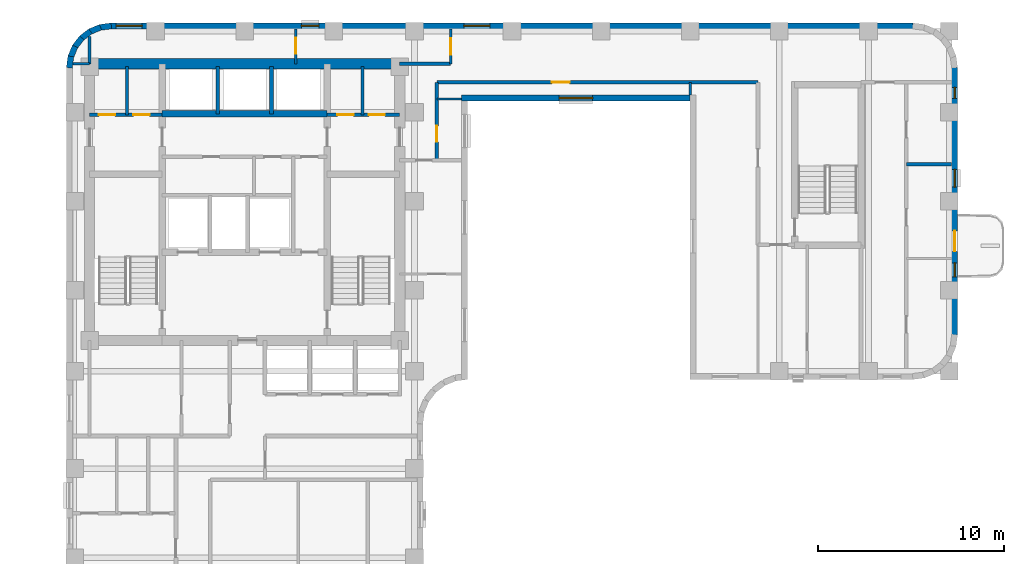
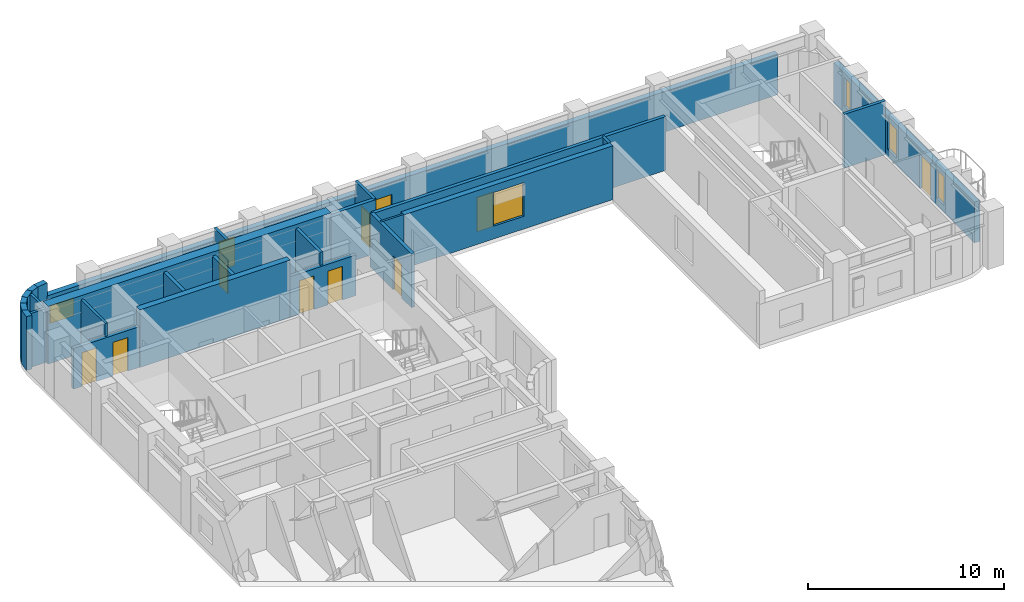
# One storey, part 6 of 10: 27 walls, 9 doors, 7 windows, 16 openings.
"""IFC4 building model written with IfcOpenShell, lengths in metres."""

from ifc_helpers import new_model, si_unit, direction, frame, frame_2d, origin, place, context, subcontext, project, spatial, rectangle, extrude, material, layer, layer_set, type_object, element, fill, save


model = new_model("IFC4")

# Units and contexts
model_context = context("Model", 3, precision=1e-05, world=origin(), true_north=direction((0.0, 1.0)))
body_context = subcontext(model_context, "Body", "Model", "MODEL_VIEW")
ifc_project = project(units=[si_unit("LENGTHUNIT", "METRE"), si_unit("AREAUNIT", "SQUARE_METRE"), si_unit("VOLUMEUNIT", "CUBIC_METRE"), si_unit("PLANEANGLEUNIT", "RADIAN"), si_unit("MASSUNIT", "GRAM", prefix="KILO")], contexts=[model_context])

# Site, building, storey
site_placement = place(None, origin())
site = spatial("IfcSite", under=ifc_project, at=site_placement, CompositionType="ELEMENT")
building_placement = place(site_placement, origin())
building = spatial("IfcBuilding", under=site, at=building_placement, Name="Orvandelia Arch Residences", CompositionType="ELEMENT")
storey_placement = place(building_placement, frame((0.0, 0.0, 179.199951171875)))
storey = spatial("IfcBuildingStorey", under=building, at=storey_placement, Name="L47", CompositionType="ELEMENT", Elevation=179.199951171875)

# Walls
ifc_material_1 = material(Name="Concrete C50/60", Category="concrete")
ifc_layer_1 = layer(ifc_material_1, 0.35009765625, Name="Concrete C50/60", Category="concrete")
ifc_layer_set_1 = layer_set([ifc_layer_1], Name="Concrete C50/60")
wall_type_1 = type_object("IfcWallType", Name="WL-CORE-350", PredefinedType="SHEAR", material=ifc_layer_set_1)
wall_1_placement = place(storey_placement, frame((9.9599609375, 43.10009765625, 0.0), z_axis=(0.0, 0.0, 1.0), x_axis=(1.0, 0.0, 0.0)))
element("IfcWall", 1, at=wall_1_placement, inside=storey, type_object=wall_type_1, Name="Core Shear Wall L47-HZ4", PredefinedType="SHEAR", context=body_context, shape_type="SweptSolid", body=[
    extrude(rectangle(XDim=8.880126953125, YDim=0.35009765625, at=frame_2d((4.43994140625, 0.0))), origin(), (0.0, 0.0, 1.0), 3.60009765625),
])
ifc_material_2 = material(Name="Concrete C60/75", Category="concrete")
ifc_layer_2 = layer(ifc_material_2, 0.550048828125, Name="Concrete C60/75", Category="concrete")
ifc_layer_set_2 = layer_set([ifc_layer_2], Name="Concrete C60/75")
wall_type_2 = type_object("IfcWallType", Name="WL-CORE-550", PredefinedType="SHEAR", material=ifc_layer_set_2)
wall_2_placement = place(storey_placement, frame((6.050048828125, 45.800048828125, 0.0), z_axis=(0.0, 0.0, 1.0), x_axis=(1.0, 0.0, 0.0)))
element("IfcWall", 2, at=wall_2_placement, inside=storey, type_object=wall_type_2, Name="Core Shear Wall L47-N", PredefinedType="SHEAR", context=body_context, shape_type="SweptSolid", body=[
    extrude(rectangle(XDim=16.699951171875, YDim=0.550048828125, at=frame_2d((8.35009765625, 0.0))), origin(), (0.0, 0.0, 1.0), 3.60009765625),
])
ifc_material_3 = material(Name="Fire-Rated Corridor Partition")
ifc_layer_3 = layer(ifc_material_3, 0.199951171875, Name="Fire-Rated Corridor Partition")
ifc_layer_set_3 = layer_set([ifc_layer_3], Name="Fire-Rated Corridor Partition")
wall_type_3 = type_object("IfcWallType", Name="WL-CORR-200", PredefinedType="PARTITIONING", material=ifc_layer_set_3)
wall_3_placement = place(storey_placement, frame((22.75, 45.800048828125, 0.0), z_axis=(0.0, 0.0, 1.0), x_axis=(1.0, 0.0, 0.0)))
element("IfcWall", 3, at=wall_3_placement, inside=storey, type_object=wall_type_3, Name="Interior Partition Wall WL-L47-NCE-S", PredefinedType="PARTITIONING", context=body_context, shape_type="SweptSolid", body=[
    extrude(rectangle(XDim=2.75, YDim=0.199951171875, at=frame_2d((1.375, 0.0))), origin(), (0.0, 0.0, 1.0), 3.360107421875),
])

# Wall, opening, door
wall_4_placement = place(storey_placement, frame((24.75, 44.800048828125, 0.0), z_axis=(0.0, 0.0, 1.0), x_axis=(1.0, 0.0, 0.0)))
wall_4 = element("IfcWall", 4, at=wall_4_placement, inside=storey, type_object=wall_type_3, Name="Interior Partition Wall WL-L47-ENP-S1", PredefinedType="PARTITIONING", context=body_context, shape_type="SweptSolid", body=[
    extrude(rectangle(XDim=17.300048828125, YDim=0.199951171875, at=frame_2d((8.64990234375, 0.0))), origin(), (0.0, 0.0, 1.0), 3.360107421875),
])
opening_1_placement = place(wall_4_placement, frame((6.199951171875, 0.0, 0.0)))
opening_1 = element("IfcOpeningElement", 5, at=opening_1_placement, cuts=wall_4, Name="Opening D2", PredefinedType="OPENING", context=body_context, shape_type="SweptSolid", body=[
    extrude(rectangle(XDim=0.949951171875, YDim=2.14990234375, at=frame_2d((0.47509765625, 1.074951171875))), frame((0.0, 0.10986328125, 0.0), z_axis=(0.0, -1.0, 0.0), x_axis=(1.0, 0.0, 0.0)), (0.0, 0.0, 1.0), 0.219970703125),
])
ifc_material_4 = material(Name="Solid-Core Timber Interior Fire Door", Category="wood")
door_type_1 = type_object("IfcDoorType", Name="DR-APT-950", OperationType="NOTDEFINED", PredefinedType="DOOR", material=ifc_material_4)
door_1_placement = place(opening_1_placement, origin())
door_1 = element("IfcDoor", 6, at=door_1_placement, inside=storey, type_object=door_type_1, Name="DR-L47-VPBRG", OperationType="SINGLE_SWING_LEFT", OverallHeight=2.14990234375, OverallWidth=0.949951171875, PredefinedType="DOOR", context=body_context, shape_type="SweptSolid", body=[
    extrude(rectangle(XDim=0.949951171875, YDim=2.14990234375, at=frame_2d((0.47509765625, 1.074951171875))), frame((0.0, 0.02490234375, 0.0), z_axis=(0.0, -1.0, 0.0), x_axis=(1.0, 0.0, 0.0)), (0.0, 0.0, 1.0), 0.050048828125),
])
fill(opening_1, door_1)

wall_5_placement = place(storey_placement, frame((24.75, 40.60009765625, 0.0), z_axis=(0.0, 0.0, 1.0), x_axis=(0.0, 1.0, 0.0)))
wall_5 = element("IfcWall", 7, at=wall_5_placement, inside=storey, type_object=wall_type_3, Name="Interior Partition Wall WL-L47-ENP-LW", PredefinedType="PARTITIONING", context=body_context, shape_type="SweptSolid", body=[
    extrude(rectangle(XDim=4.199951171875, YDim=0.199951171875, at=frame_2d((2.10009765625, 0.0))), origin(), (0.0, 0.0, 1.0), 3.360107421875),
])
opening_2_placement = place(wall_5_placement, frame((1.0, 0.0, 0.0)))
opening_2 = element("IfcOpeningElement", 8, at=opening_2_placement, cuts=wall_5, Name="Opening D4", PredefinedType="OPENING", context=body_context, shape_type="SweptSolid", body=[
    extrude(rectangle(XDim=0.860107421875, YDim=2.10009765625, at=frame_2d((0.43017578125, 1.050048828125))), frame((0.0, 0.10986328125, 0.0), z_axis=(0.0, -1.0, 0.0), x_axis=(1.0, 0.0, 0.0)), (0.0, 0.0, 1.0), 0.219970703125),
])
ifc_material_5 = material(Name="Moisture-Sealed Timber Bathroom Door", Category="wood")
door_type_2 = type_object("IfcDoorType", Name="DR-WET-900", OperationType="NOTDEFINED", PredefinedType="DOOR", material=ifc_material_5)
door_2_placement = place(opening_2_placement, origin())
door_2 = element("IfcDoor", 9, at=door_2_placement, inside=storey, type_object=door_type_2, Name="DR-L47-VPWNK", OperationType="SINGLE_SWING_RIGHT", OverallHeight=2.10009765625, OverallWidth=0.860107421875, PredefinedType="DOOR", context=body_context, shape_type="SweptSolid", body=[
    extrude(rectangle(XDim=0.860107421875, YDim=2.10009765625, at=frame_2d((0.43017578125, 1.050048828125))), frame((0.0, 0.02490234375, 0.0), z_axis=(0.0, -1.0, 0.0), x_axis=(1.0, 0.0, 0.0)), (0.0, 0.0, 1.0), 0.050048828125),
])
fill(opening_2, door_2)

# Walls
ifc_material_6 = material(Name="Precast concrete C40/50", Category="concrete")
ifc_layer_4 = layer(ifc_material_6, 0.320068359375, Name="Precast concrete C40/50", Category="concrete")
ifc_layer_set_4 = layer_set([ifc_layer_4], Name="Precast concrete C40/50")
wall_type_4 = type_object("IfcWallType", Name="WL-EXT-STONE-320", PredefinedType="STANDARD", material=ifc_layer_set_4)
for number, where, z_axis, x_axis, name in (
    (10, (4.95849609375, 45.5791015625, 0.0), (0.0, 0.0, 1.0), (0.130555323746, 0.9914410257, 0.0), "Coral-Limestone Precast Facade Wall L47-001"),
    (11, (5.029541015625, 46.159912109375, 0.0), (0.0, 0.0, 1.0), (0.382650053678, 0.92389335771, 0.0), "Coral-Limestone Precast Facade Wall L47-002"),
):
    element("IfcWall", number, at=place(storey_placement, frame(where, z_axis=z_axis, x_axis=x_axis)), inside=storey, type_object=wall_type_4, Name=name, PredefinedType="STANDARD", context=body_context, shape_type="SweptSolid", body=[
        extrude(rectangle(XDim=0.62646484375, YDim=0.320068359375, at=frame_2d((0.313232421875, 0.0))), origin(), (0.0, 0.0, 1.0), 3.360107421875),
    ])
wall_6_placement = place(storey_placement, frame((5.248291015625, 46.70263671875, 0.0), z_axis=(0.0, 0.0, 1.0), x_axis=(0.608938521285, 0.7932174212, 0.0)))
element("IfcWall", 12, at=wall_6_placement, inside=storey, type_object=wall_type_4, Name="Coral-Limestone Precast Facade Wall L47-003", PredefinedType="STANDARD", context=body_context, shape_type="SweptSolid", body=[
    extrude(rectangle(XDim=0.626708984375, YDim=0.320068359375, at=frame_2d((0.3134765625, 0.0))), origin(), (0.0, 0.0, 1.0), 3.360107421875),
])
wall_7_placement = place(storey_placement, frame((5.600341796875, 47.170166015625, 0.0), z_axis=(0.0, 0.0, 1.0), x_axis=(0.793405610854, 0.608693302629, 0.0)))
element("IfcWall", 13, at=wall_7_placement, inside=storey, type_object=wall_type_4, Name="Coral-Limestone Precast Facade Wall L47-004", PredefinedType="STANDARD", context=body_context, shape_type="SweptSolid", body=[
    extrude(rectangle(XDim=0.62646484375, YDim=0.320068359375, at=frame_2d((0.313232421875, 0.0))), origin(), (0.0, 0.0, 1.0), 3.360107421875),
])
wall_8_placement = place(storey_placement, frame((6.061279296875, 47.53076171875, 0.0), z_axis=(0.0, 0.0, 1.0), x_axis=(0.923836271867, 0.382787856107, 0.0)))
element("IfcWall", 14, at=wall_8_placement, inside=storey, type_object=wall_type_4, Name="Coral-Limestone Precast Facade Wall L47-005", PredefinedType="STANDARD", context=body_context, shape_type="SweptSolid", body=[
    extrude(rectangle(XDim=0.626220703125, YDim=0.320068359375, at=frame_2d((0.31298828125, 0.0))), origin(), (0.0, 0.0, 1.0), 3.360107421875),
])
wall_9_placement = place(storey_placement, frame((6.599609375, 47.759521484375, 0.0), z_axis=(0.0, 0.0, 1.0), x_axis=(0.991447664465, 0.130504898859, 0.0)))
element("IfcWall", 15, at=wall_9_placement, inside=storey, type_object=wall_type_4, Name="Coral-Limestone Precast Facade Wall L47-006", PredefinedType="STANDARD", context=body_context, shape_type="SweptSolid", body=[
    extrude(rectangle(XDim=0.626708984375, YDim=0.320068359375, at=frame_2d((0.3134765625, 0.0))), origin(), (0.0, 0.0, 1.0), 3.360107421875),
])

# Wall, openings, windows
wall_10_placement = place(storey_placement, frame((7.199951171875, 47.840087890625, 0.0), z_axis=(0.0, 0.0, 1.0), x_axis=(1.0, 0.0, 0.0)))
wall_10 = element("IfcWall", 16, at=wall_10_placement, inside=storey, type_object=wall_type_4, Name="Coral-Limestone Precast Facade Wall L47-007", PredefinedType="STANDARD", context=body_context, shape_type="SweptSolid", body=[
    extrude(rectangle(XDim=43.199951171875, YDim=0.320068359375, at=frame_2d((21.60009765625, 0.0))), origin(), (0.0, 0.0, 1.0), 2.5400390625),
])
opening_3_placement = place(wall_10_placement, frame((19.00244140625, 0.0, 0.64990234375)))
opening_3 = element("IfcOpeningElement", 17, at=opening_3_placement, cuts=wall_10, Name="Opening W10", PredefinedType="OPENING", context=body_context, shape_type="SweptSolid", body=[
    extrude(rectangle(XDim=1.39990234375, YDim=1.10009765625, at=frame_2d((0.699951171875, 0.550048828125))), frame((0.0, 0.169921875, 0.0), z_axis=(0.0, -1.0, 0.0), x_axis=(1.0, 0.0, 0.0)), (0.0, 0.0, 1.0), 0.340087890625),
])
opening_4_placement = place(wall_10_placement, frame((0.282470703125, 0.0, 0.64990234375)))
opening_4 = element("IfcOpeningElement", 18, at=opening_4_placement, cuts=wall_10, Name="Opening W10", PredefinedType="OPENING", context=body_context, shape_type="SweptSolid", body=[
    extrude(rectangle(XDim=1.39990234375, YDim=1.10009765625, at=frame_2d((0.699951171875, 0.550048828125))), frame((0.0, 0.169921875, 0.0), z_axis=(0.0, -1.0, 0.0), x_axis=(1.0, 0.0, 0.0)), (0.0, 0.0, 1.0), 0.340087890625),
])
opening_5_placement = place(wall_10_placement, frame((10.25244140625, 0.0, 0.449951171875)))
opening_5 = element("IfcOpeningElement", 19, at=opening_5_placement, cuts=wall_10, Name="Opening W4", PredefinedType="OPENING", context=body_context, shape_type="SweptSolid", body=[
    extrude(rectangle(XDim=0.949951171875, YDim=1.800048828125, at=frame_2d((0.47509765625, 0.89990234375))), frame((0.0, 0.169921875, 0.0), z_axis=(0.0, -1.0, 0.0), x_axis=(1.0, 0.0, 0.0)), (0.0, 0.0, 1.0), 0.340087890625),
])
ifc_material_7 = material(Name="Tempered Low-E Insulated Glazing", Category="glass")
window_type_1 = type_object("IfcWindowType", Name="WIN-CLR-1400x1100", PartitioningType="SINGLE_PANEL", PredefinedType="WINDOW", material=ifc_material_7)
window_1_placement = place(opening_3_placement, origin())
window_1 = element("IfcWindow", 20, at=window_1_placement, inside=storey, type_object=window_type_1, Name="Recessed Punched Window L47-001", OverallHeight=1.10009765625, OverallWidth=1.39990234375, PartitioningType="SINGLE_PANEL", PredefinedType="WINDOW", context=body_context, shape_type="SweptSolid", body=[
    extrude(rectangle(XDim=1.39990234375, YDim=1.10009765625, at=frame_2d((0.699951171875, 0.550048828125))), frame((0.0, 0.030029296875, 0.0), z_axis=(0.0, -1.0, 0.0), x_axis=(1.0, 0.0, 0.0)), (0.0, 0.0, 1.0), 0.06005859375),
])
fill(opening_3, window_1)
window_2_placement = place(opening_4_placement, origin())
window_2 = element("IfcWindow", 21, at=window_2_placement, inside=storey, type_object=window_type_1, Name="Recessed Punched Window L47-002", OverallHeight=1.10009765625, OverallWidth=1.39990234375, PartitioningType="SINGLE_PANEL", PredefinedType="WINDOW", context=body_context, shape_type="SweptSolid", body=[
    extrude(rectangle(XDim=1.39990234375, YDim=1.10009765625, at=frame_2d((0.699951171875, 0.550048828125))), frame((0.0, 0.030029296875, 0.0), z_axis=(0.0, -1.0, 0.0), x_axis=(1.0, 0.0, 0.0)), (0.0, 0.0, 1.0), 0.06005859375),
])
fill(opening_4, window_2)
window_type_2 = type_object("IfcWindowType", Name="WIN-RES-0950x1800", PartitioningType="SINGLE_PANEL", PredefinedType="WINDOW", material=ifc_material_7)
window_3_placement = place(opening_5_placement, origin())
window_3 = element("IfcWindow", 22, at=window_3_placement, inside=storey, type_object=window_type_2, Name="Recessed Punched Window L47-003", OverallHeight=1.800048828125, OverallWidth=0.949951171875, PartitioningType="SINGLE_PANEL", PredefinedType="WINDOW", context=body_context, shape_type="SweptSolid", body=[
    extrude(rectangle(XDim=0.949951171875, YDim=1.800048828125, at=frame_2d((0.47509765625, 0.89990234375))), frame((0.0, 0.030029296875, 0.0), z_axis=(0.0, -1.0, 0.0), x_axis=(1.0, 0.0, 0.0)), (0.0, 0.0, 1.0), 0.06005859375),
])
fill(opening_5, window_3)

# Wall, openings, door, windows
wall_11_placement = place(storey_placement, frame((52.639892578125, 45.60009765625, 0.0), z_axis=(0.0, 0.0, 1.0), x_axis=(0.0, -1.0, 0.0)))
wall_11 = element("IfcWall", 23, at=wall_11_placement, inside=storey, type_object=wall_type_4, Name="Coral-Limestone Precast Facade Wall L47-014", PredefinedType="STANDARD", context=body_context, shape_type="SweptSolid", body=[
    extrude(rectangle(XDim=14.400146484375, YDim=0.320068359375, at=frame_2d((7.2001953125, 0.0))), origin(), (0.0, 0.0, 1.0), 2.5400390625),
])
opening_6_placement = place(wall_11_placement, frame((8.800048828125, 0.0, 0.0)))
opening_6 = element("IfcOpeningElement", 24, at=opening_6_placement, cuts=wall_11, Name="Opening BD1", PredefinedType="OPENING", context=body_context, shape_type="SweptSolid", body=[
    extrude(rectangle(XDim=1.10009765625, YDim=2.14990234375, at=frame_2d((0.550048828125, 1.074951171875))), frame((0.0, 0.169921875, 0.0), z_axis=(0.0, -1.0, 0.0), x_axis=(1.0, 0.0, 0.0)), (0.0, 0.0, 1.0), 0.340087890625),
])
opening_7_placement = place(wall_11_placement, frame((10.51953125, 0.0, 0.449951171875)))
opening_7 = element("IfcOpeningElement", 25, at=opening_7_placement, cuts=wall_11, Name="Opening W11", PredefinedType="OPENING", context=body_context, shape_type="SweptSolid", body=[
    extrude(rectangle(XDim=0.75, YDim=1.800048828125, at=frame_2d((0.375, 0.89990234375))), frame((0.0, 0.169921875, 0.0), z_axis=(0.0, -1.0, 0.0), x_axis=(1.0, 0.0, 0.0)), (0.0, 0.0, 1.0), 0.340087890625),
])
opening_8_placement = place(wall_11_placement, frame((1.0625, 0.0, 0.449951171875)))
opening_8 = element("IfcOpeningElement", 26, at=opening_8_placement, cuts=wall_11, Name="Opening W12", PredefinedType="OPENING", context=body_context, shape_type="SweptSolid", body=[
    extrude(rectangle(XDim=0.60009765625, YDim=1.800048828125, at=frame_2d((0.300048828125, 0.89990234375))), frame((0.0, 0.169921875, 0.0), z_axis=(0.0, -1.0, 0.0), x_axis=(1.0, 0.0, 0.0)), (0.0, 0.0, 1.0), 0.340087890625),
])
opening_9_placement = place(wall_11_placement, frame((5.486083984375, 0.0, 0.449951171875)))
opening_9 = element("IfcOpeningElement", 27, at=opening_9_placement, cuts=wall_11, Name="Opening W4", PredefinedType="OPENING", context=body_context, shape_type="SweptSolid", body=[
    extrude(rectangle(XDim=0.949951171875, YDim=1.800048828125, at=frame_2d((0.47509765625, 0.89990234375))), frame((0.0, 0.169921875, 0.0), z_axis=(0.0, -1.0, 0.0), x_axis=(1.0, 0.0, 0.0)), (0.0, 0.0, 1.0), 0.340087890625),
])
ifc_material_8 = material(Name="Thermally Broken Aluminium Glazed Door", Category="aluminium")
door_type_3 = type_object("IfcDoorType", Name="DR-BAL-GLAZ-1100", OperationType="NOTDEFINED", PredefinedType="DOOR", material=ifc_material_8)
door_3_placement = place(opening_6_placement, origin())
door_3 = element("IfcDoor", 28, at=door_3_placement, inside=storey, type_object=door_type_3, Name="Tree Balcony Glazed Door BAL-L47-E1", OperationType="SINGLE_SWING_LEFT", OverallHeight=2.14990234375, OverallWidth=1.10009765625, PredefinedType="DOOR", context=body_context, shape_type="SweptSolid", body=[
    extrude(rectangle(XDim=1.10009765625, YDim=2.14990234375, at=frame_2d((0.550048828125, 1.074951171875))), frame((0.0, 0.02490234375, 0.0), z_axis=(0.0, -1.0, 0.0), x_axis=(1.0, 0.0, 0.0)), (0.0, 0.0, 1.0), 0.050048828125),
])
fill(opening_6, door_3)
window_type_3 = type_object("IfcWindowType", Name="WIN-BED-0750x1800", PartitioningType="SINGLE_PANEL", PredefinedType="WINDOW", material=ifc_material_7)
window_4_placement = place(opening_7_placement, origin())
window_4 = element("IfcWindow", 29, at=window_4_placement, inside=storey, type_object=window_type_3, Name="Recessed Punched Window L47-004", OverallHeight=1.800048828125, OverallWidth=0.75, PartitioningType="SINGLE_PANEL", PredefinedType="WINDOW", context=body_context, shape_type="SweptSolid", body=[
    extrude(rectangle(XDim=0.75, YDim=1.800048828125, at=frame_2d((0.375, 0.89990234375))), frame((0.0, 0.030029296875, 0.0), z_axis=(0.0, -1.0, 0.0), x_axis=(1.0, 0.0, 0.0)), (0.0, 0.0, 1.0), 0.06005859375),
])
fill(opening_7, window_4)
window_type_4 = type_object("IfcWindowType", Name="WIN-LAN-0600x1800", PartitioningType="SINGLE_PANEL", PredefinedType="WINDOW", material=ifc_material_7)
window_5_placement = place(opening_8_placement, origin())
window_5 = element("IfcWindow", 30, at=window_5_placement, inside=storey, type_object=window_type_4, Name="Recessed Punched Window L47-005", OverallHeight=1.800048828125, OverallWidth=0.60009765625, PartitioningType="SINGLE_PANEL", PredefinedType="WINDOW", context=body_context, shape_type="SweptSolid", body=[
    extrude(rectangle(XDim=0.60009765625, YDim=1.800048828125, at=frame_2d((0.300048828125, 0.89990234375))), frame((0.0, 0.030029296875, 0.0), z_axis=(0.0, -1.0, 0.0), x_axis=(1.0, 0.0, 0.0)), (0.0, 0.0, 1.0), 0.06005859375),
])
fill(opening_8, window_5)
window_6_placement = place(opening_9_placement, origin())
window_6 = element("IfcWindow", 31, at=window_6_placement, inside=storey, type_object=window_type_2, Name="Recessed Punched Window L47-006", OverallHeight=1.800048828125, OverallWidth=0.949951171875, PartitioningType="SINGLE_PANEL", PredefinedType="WINDOW", context=body_context, shape_type="SweptSolid", body=[
    extrude(rectangle(XDim=0.949951171875, YDim=1.800048828125, at=frame_2d((0.47509765625, 0.89990234375))), frame((0.0, 0.030029296875, 0.0), z_axis=(0.0, -1.0, 0.0), x_axis=(1.0, 0.0, 0.0)), (0.0, 0.0, 1.0), 0.06005859375),
])
fill(opening_9, window_6)

# Wall, opening, window
wall_12_placement = place(storey_placement, frame((38.39990234375, 43.9599609375, 0.0), z_axis=(0.0, 0.0, 1.0), x_axis=(-1.0, 0.0, 0.0)))
wall_12 = element("IfcWall", 32, at=wall_12_placement, inside=storey, type_object=wall_type_4, Name="Coral-Limestone Precast Facade Wall L47-023", PredefinedType="STANDARD", context=body_context, shape_type="SweptSolid", body=[
    extrude(rectangle(XDim=12.31982421875, YDim=0.320068359375, at=frame_2d((6.159912109375, 0.0))), origin(), (0.0, 0.0, 1.0), 3.360107421875),
])
opening_10_placement = place(wall_12_placement, frame((5.260009765625, 0.0, 0.800048828125)))
opening_10 = element("IfcOpeningElement", 33, at=opening_10_placement, cuts=wall_12, Name="Opening W1", PredefinedType="OPENING", context=body_context, shape_type="SweptSolid", body=[
    extrude(rectangle(XDim=1.800048828125, YDim=2.10009765625, at=frame_2d((0.89990234375, 1.050048828125))), frame((0.0, 0.169921875, 0.0), z_axis=(0.0, -1.0, 0.0), x_axis=(1.0, 0.0, 0.0)), (0.0, 0.0, 1.0), 0.340087890625),
])
window_type_5 = type_object("IfcWindowType", Name="WIN-RES-1800x2100", PartitioningType="SINGLE_PANEL", PredefinedType="WINDOW", material=ifc_material_7)
window_7_placement = place(opening_10_placement, origin())
window_7 = element("IfcWindow", 34, at=window_7_placement, inside=storey, type_object=window_type_5, Name="Recessed Punched Window L47-012", OverallHeight=2.10009765625, OverallWidth=1.800048828125, PartitioningType="SINGLE_PANEL", PredefinedType="WINDOW", context=body_context, shape_type="SweptSolid", body=[
    extrude(rectangle(XDim=1.800048828125, YDim=2.10009765625, at=frame_2d((0.89990234375, 1.050048828125))), frame((0.0, 0.030029296875, 0.0), z_axis=(0.0, -1.0, 0.0), x_axis=(1.0, 0.0, 0.0)), (0.0, 0.0, 1.0), 0.06005859375),
])
fill(opening_10, window_7)

# Walls
ifc_material_9 = material(Name="Lightweight Gypsum Stud Partition")
ifc_layer_5 = layer(ifc_material_9, 0.1201171875, Name="Lightweight Gypsum Stud Partition")
ifc_layer_set_5 = layer_set([ifc_layer_5], Name="Lightweight Gypsum Stud Partition")
wall_type_5 = type_object("IfcWallType", Name="WL-PART-120", PredefinedType="PARTITIONING", material=ifc_layer_set_5)
wall_13_placement = place(storey_placement, frame((24.75, 43.89990234375, 0.0), z_axis=(0.0, 0.0, 1.0), x_axis=(1.0, 0.0, 0.0)))
element("IfcWall", 35, at=wall_13_placement, inside=storey, type_object=wall_type_5, Name="Interior Partition Wall WL-L47-VPWNK-N", PredefinedType="PARTITIONING", context=body_context, shape_type="SweptSolid", body=[
    extrude(rectangle(XDim=1.330078125, YDim=0.1201171875, at=frame_2d((0.6650390625, 0.0))), origin(), (0.0, 0.0, 1.0), 3.360107421875),
])
ifc_material_10 = material(Name="Acoustic Gypsum Stud Partition")
ifc_layer_6 = layer(ifc_material_10, 0.14990234375, Name="Acoustic Gypsum Stud Partition")
ifc_layer_set_6 = layer_set([ifc_layer_6], Name="Acoustic Gypsum Stud Partition")
wall_type_6 = type_object("IfcWallType", Name="WL-PART-150", PredefinedType="PARTITIONING", material=ifc_layer_set_6)
wall_14_placement = place(storey_placement, frame((8.06005859375, 43.050048828125, 0.0), z_axis=(0.0, 0.0, 1.0), x_axis=(0.0, 1.0, 0.0)))
element("IfcWall", 36, at=wall_14_placement, inside=storey, type_object=wall_type_6, Name="Interior Partition Wall WL-L47-CRELC-M", PredefinedType="PARTITIONING", context=body_context, shape_type="SweptSolid", body=[
    extrude(rectangle(XDim=2.599853515625, YDim=0.14990234375, at=frame_2d((1.2998046875, 0.0))), origin(), (0.0, 0.0, 1.0), 3.360107421875),
])
wall_15_placement = place(storey_placement, frame((5.159912109375, 45.800048828125, 0.0), z_axis=(0.0, 0.0, 1.0), x_axis=(1.0, 0.0, 0.0)))
element("IfcWall", 37, at=wall_15_placement, inside=storey, type_object=wall_type_6, Name="Interior Partition Wall WL-L47-WF-N", PredefinedType="PARTITIONING", context=body_context, shape_type="SweptSolid", body=[
    extrude(rectangle(XDim=0.89013671875, YDim=0.14990234375, at=frame_2d((0.445068359375, 0.0))), origin(), (0.0, 0.0, 1.0), 3.360107421875),
])

# Wall, opening, door
wall_16_placement = place(storey_placement, frame((25.5, 45.800048828125, 0.0), z_axis=(0.0, 0.0, 1.0), x_axis=(0.0, 1.0, 0.0)))
wall_16 = element("IfcWall", 38, at=wall_16_placement, inside=storey, type_object=wall_type_6, Name="Interior Partition Wall WL-L47-NCE-W", PredefinedType="PARTITIONING", context=body_context, shape_type="SweptSolid", body=[
    extrude(rectangle(XDim=1.8798828125, YDim=0.14990234375, at=frame_2d((0.93994140625, 0.0))), origin(), (0.0, 0.0, 1.0), 3.360107421875),
])
opening_11_placement = place(wall_16_placement, frame((0.5, 0.0, 0.0)))
opening_11 = element("IfcOpeningElement", 39, at=opening_11_placement, cuts=wall_16, Name="Opening D5", PredefinedType="OPENING", context=body_context, shape_type="SweptSolid", body=[
    extrude(rectangle(XDim=0.8798828125, YDim=2.10009765625, at=frame_2d((0.43994140625, 1.050048828125))), frame((0.0, 0.0849609375, 0.0), z_axis=(0.0, -1.0, 0.0), x_axis=(1.0, 0.0, 0.0)), (0.0, 0.0, 1.0), 0.169921875),
])
ifc_material_11 = material(Name="Painted Galvanised Steel Service Door", Category="steel")
door_type_4 = type_object("IfcDoorType", Name="DR-SRV-880", OperationType="NOTDEFINED", PredefinedType="DOOR", material=ifc_material_11)
door_4_placement = place(opening_11_placement, origin())
door_4 = element("IfcDoor", 40, at=door_4_placement, inside=storey, type_object=door_type_4, Name="DR-L47-NCS2", OperationType="SINGLE_SWING_LEFT", OverallHeight=2.10009765625, OverallWidth=0.8798828125, PredefinedType="DOOR", context=body_context, shape_type="SweptSolid", body=[
    extrude(rectangle(XDim=0.8798828125, YDim=2.10009765625, at=frame_2d((0.43994140625, 1.050048828125))), frame((0.0, 0.02490234375, 0.0), z_axis=(0.0, -1.0, 0.0), x_axis=(1.0, 0.0, 0.0)), (0.0, 0.0, 1.0), 0.050048828125),
])
fill(opening_11, door_4)

# Wall
wall_17_placement = place(storey_placement, frame((6.050048828125, 45.800048828125, 0.0), z_axis=(0.0, 0.0, 1.0), x_axis=(0.0, 1.0, 0.0)))
element("IfcWall", 41, at=wall_17_placement, inside=storey, type_object=wall_type_6, Name="Interior Partition Wall WL-L47-NC-W6", PredefinedType="PARTITIONING", context=body_context, shape_type="SweptSolid", body=[
    extrude(rectangle(XDim=1.4599609375, YDim=0.14990234375, at=frame_2d((0.72998046875, 0.0))), origin(), (0.0, 0.0, 1.0), 3.360107421875),
])

# Wall, opening, door
wall_18_placement = place(storey_placement, frame((17.14990234375, 45.800048828125, 0.0), z_axis=(0.0, 0.0, 1.0), x_axis=(0.0, 1.0, 0.0)))
wall_18 = element("IfcWall", 42, at=wall_18_placement, inside=storey, type_object=wall_type_6, Name="Interior Partition Wall WL-L47-NC-M", PredefinedType="PARTITIONING", context=body_context, shape_type="SweptSolid", body=[
    extrude(rectangle(XDim=1.8798828125, YDim=0.14990234375, at=frame_2d((0.93994140625, 0.0))), origin(), (0.0, 0.0, 1.0), 3.360107421875),
])
opening_12_placement = place(wall_18_placement, frame((0.550048828125, 0.0, 0.0)))
opening_12 = element("IfcOpeningElement", 43, at=opening_12_placement, cuts=wall_18, Name="Opening D4", PredefinedType="OPENING", context=body_context, shape_type="SweptSolid", body=[
    extrude(rectangle(XDim=0.860107421875, YDim=2.10009765625, at=frame_2d((0.43017578125, 1.050048828125))), frame((0.0, 0.0849609375, 0.0), z_axis=(0.0, -1.0, 0.0), x_axis=(1.0, 0.0, 0.0)), (0.0, 0.0, 1.0), 0.169921875),
])
door_5_placement = place(opening_12_placement, origin())
door_5 = element("IfcDoor", 44, at=door_5_placement, inside=storey, type_object=door_type_2, Name="DR-L47-NCS1", OperationType="SINGLE_SWING_LEFT", OverallHeight=2.10009765625, OverallWidth=0.860107421875, PredefinedType="DOOR", context=body_context, shape_type="SweptSolid", body=[
    extrude(rectangle(XDim=0.860107421875, YDim=2.10009765625, at=frame_2d((0.43017578125, 1.050048828125))), frame((0.0, 0.02490234375, 0.0), z_axis=(0.0, -1.0, 0.0), x_axis=(1.0, 0.0, 0.0)), (0.0, 0.0, 1.0), 0.050048828125),
])
fill(opening_12, door_5)

# Wall
wall_19_placement = place(storey_placement, frame((38.39990234375, 44.1201171875, 0.0), z_axis=(0.0, 0.0, 1.0), x_axis=(0.0, 1.0, 0.0)))
element("IfcWall", 45, at=wall_19_placement, inside=storey, type_object=wall_type_6, Name="Interior Partition Wall WL-L47-VPBRG-E", PredefinedType="PARTITIONING", context=body_context, shape_type="SweptSolid", body=[
    extrude(rectangle(XDim=0.679931640625, YDim=0.14990234375, at=frame_2d((0.33984375, 0.0))), origin(), (0.0, 0.0, 1.0), 3.360107421875),
])

# Wall, openings, doors
ifc_material_12 = material(Name="Fire-Rated Shaft Enclosure Wall")
ifc_layer_7 = layer(ifc_material_12, 0.199951171875, Name="Fire-Rated Shaft Enclosure Wall")
ifc_layer_set_7 = layer_set([ifc_layer_7], Name="Fire-Rated Shaft Enclosure Wall")
wall_type_7 = type_object("IfcWallType", Name="WL-SHAFT-200", PredefinedType="POLYGONAL", material=ifc_layer_set_7)
wall_20_placement = place(storey_placement, frame((18.840087890625, 43.050048828125, 0.0), z_axis=(0.0, 0.0, 1.0), x_axis=(1.0, 0.0, 0.0)))
wall_20 = element("IfcWall", 46, at=wall_20_placement, inside=storey, type_object=wall_type_7, Name="Interior Partition Wall WL-L47-HLE-N", PredefinedType="POLYGONAL", context=body_context, shape_type="SweptSolid", body=[
    extrude(rectangle(XDim=3.909912109375, YDim=0.199951171875, at=frame_2d((1.955078125, 0.0))), origin(), (0.0, 0.0, 1.0), 2.5400390625),
])
opening_13_placement = place(wall_20_placement, frame((0.550048828125, 0.0, 0.0)))
opening_13 = element("IfcOpeningElement", 47, at=opening_13_placement, cuts=wall_20, Name="Opening D5", PredefinedType="OPENING", context=body_context, shape_type="SweptSolid", body=[
    extrude(rectangle(XDim=0.8798828125, YDim=2.10009765625, at=frame_2d((0.43994140625, 1.050048828125))), frame((0.0, 0.10986328125, 0.0), z_axis=(0.0, -1.0, 0.0), x_axis=(1.0, 0.0, 0.0)), (0.0, 0.0, 1.0), 0.219970703125),
])
opening_14_placement = place(wall_20_placement, frame((2.25, 0.0, 0.0)))
opening_14 = element("IfcOpeningElement", 48, at=opening_14_placement, cuts=wall_20, Name="Opening D4", PredefinedType="OPENING", context=body_context, shape_type="SweptSolid", body=[
    extrude(rectangle(XDim=0.860107421875, YDim=2.10009765625, at=frame_2d((0.43017578125, 1.050048828125))), frame((0.0, 0.10986328125, 0.0), z_axis=(0.0, -1.0, 0.0), x_axis=(1.0, 0.0, 0.0)), (0.0, 0.0, 1.0), 0.219970703125),
])
door_6_placement = place(opening_13_placement, origin())
door_6 = element("IfcDoor", 49, at=door_6_placement, inside=storey, type_object=door_type_4, Name="DR-L47-CSB1", OperationType="SINGLE_SWING_LEFT", OverallHeight=2.10009765625, OverallWidth=0.8798828125, PredefinedType="DOOR", context=body_context, shape_type="SweptSolid", body=[
    extrude(rectangle(XDim=0.8798828125, YDim=2.10009765625, at=frame_2d((0.43994140625, 1.050048828125))), frame((0.0, 0.02490234375, 0.0), z_axis=(0.0, -1.0, 0.0), x_axis=(1.0, 0.0, 0.0)), (0.0, 0.0, 1.0), 0.050048828125),
])
fill(opening_13, door_6)
door_7_placement = place(opening_14_placement, origin())
door_7 = element("IfcDoor", 50, at=door_7_placement, inside=storey, type_object=door_type_2, Name="DR-L47-CSB2", OperationType="SINGLE_SWING_LEFT", OverallHeight=2.10009765625, OverallWidth=0.860107421875, PredefinedType="DOOR", context=body_context, shape_type="SweptSolid", body=[
    extrude(rectangle(XDim=0.860107421875, YDim=2.10009765625, at=frame_2d((0.43017578125, 1.050048828125))), frame((0.0, 0.02490234375, 0.0), z_axis=(0.0, -1.0, 0.0), x_axis=(1.0, 0.0, 0.0)), (0.0, 0.0, 1.0), 0.050048828125),
])
fill(opening_14, door_7)

wall_21_placement = place(storey_placement, frame((6.050048828125, 43.050048828125, 0.0), z_axis=(0.0, 0.0, 1.0), x_axis=(1.0, 0.0, 0.0)))
wall_21 = element("IfcWall", 51, at=wall_21_placement, inside=storey, type_object=wall_type_7, Name="Interior Partition Wall WL-L47-HLW-N", PredefinedType="POLYGONAL", context=body_context, shape_type="SweptSolid", body=[
    extrude(rectangle(XDim=3.909912109375, YDim=0.199951171875, at=frame_2d((1.955078125, 0.0))), origin(), (0.0, 0.0, 1.0), 2.5400390625),
])
opening_15_placement = place(wall_21_placement, frame((0.5, 0.0, 0.0)))
opening_15 = element("IfcOpeningElement", 52, at=opening_15_placement, cuts=wall_21, Name="Opening D5", PredefinedType="OPENING", context=body_context, shape_type="SweptSolid", body=[
    extrude(rectangle(XDim=0.8798828125, YDim=2.10009765625, at=frame_2d((0.43994140625, 1.050048828125))), frame((0.0, 0.10986328125, 0.0), z_axis=(0.0, -1.0, 0.0), x_axis=(1.0, 0.0, 0.0)), (0.0, 0.0, 1.0), 0.219970703125),
])
opening_16_placement = place(wall_21_placement, frame((2.35009765625, 0.0, 0.0)))
opening_16 = element("IfcOpeningElement", 53, at=opening_16_placement, cuts=wall_21, Name="Opening D5", PredefinedType="OPENING", context=body_context, shape_type="SweptSolid", body=[
    extrude(rectangle(XDim=0.8798828125, YDim=2.10009765625, at=frame_2d((0.43994140625, 1.050048828125))), frame((0.0, 0.10986328125, 0.0), z_axis=(0.0, -1.0, 0.0), x_axis=(1.0, 0.0, 0.0)), (0.0, 0.0, 1.0), 0.219970703125),
])
door_8_placement = place(opening_15_placement, origin())
door_8 = element("IfcDoor", 54, at=door_8_placement, inside=storey, type_object=door_type_4, Name="DR-L47-CRELC1", OperationType="SINGLE_SWING_LEFT", OverallHeight=2.10009765625, OverallWidth=0.8798828125, PredefinedType="DOOR", context=body_context, shape_type="SweptSolid", body=[
    extrude(rectangle(XDim=0.8798828125, YDim=2.10009765625, at=frame_2d((0.43994140625, 1.050048828125))), frame((0.0, 0.02490234375, 0.0), z_axis=(0.0, -1.0, 0.0), x_axis=(1.0, 0.0, 0.0)), (0.0, 0.0, 1.0), 0.050048828125),
])
fill(opening_15, door_8)
door_9_placement = place(opening_16_placement, origin())
door_9 = element("IfcDoor", 55, at=door_9_placement, inside=storey, type_object=door_type_4, Name="DR-L47-CRELC2", OperationType="SINGLE_SWING_RIGHT", OverallHeight=2.10009765625, OverallWidth=0.8798828125, PredefinedType="DOOR", context=body_context, shape_type="SweptSolid", body=[
    extrude(rectangle(XDim=0.8798828125, YDim=2.10009765625, at=frame_2d((0.43994140625, 1.050048828125))), frame((0.0, 0.02490234375, 0.0), z_axis=(0.0, -1.0, 0.0), x_axis=(1.0, 0.0, 0.0)), (0.0, 0.0, 1.0), 0.050048828125),
])
fill(opening_16, door_9)

# Walls
for number, where, z_axis, x_axis, name in (
    (56, (12.949951171875, 43.10009765625, 0.0), (0.0, 0.0, 1.0), (0.0, 1.0, 0.0), "Interior Partition Wall WL-L47-PHD1"),
    (57, (15.85009765625, 43.10009765625, 0.0), (0.0, 0.0, 1.0), (0.0, 1.0, 0.0), "Interior Partition Wall WL-L47-PHD2"),
):
    element("IfcWall", number, at=place(storey_placement, frame(where, z_axis=z_axis, x_axis=x_axis)), inside=storey, type_object=wall_type_7, Name=name, PredefinedType="POLYGONAL", context=body_context, shape_type="SweptSolid", body=[
        extrude(rectangle(XDim=2.5498046875, YDim=0.199951171875, at=frame_2d((1.27490234375, 0.0))), origin(), (0.0, 0.0, 1.0), 3.360107421875),
    ])
ifc_material_13 = material(Name="Moisture-Resistant Plumbing Wall")
ifc_layer_8 = layer(ifc_material_13, 0.179931640625, Name="Moisture-Resistant Plumbing Wall")
ifc_layer_set_8 = layer_set([ifc_layer_8], Name="Moisture-Resistant Plumbing Wall")
wall_type_8 = type_object("IfcWallType", Name="WL-WET-180", PredefinedType="PLUMBINGWALL", material=ifc_layer_set_8)
wall_22_placement = place(storey_placement, frame((20.75, 43.050048828125, 0.0), z_axis=(0.0, 0.0, 1.0), x_axis=(0.0, 1.0, 0.0)))
element("IfcWall", 58, at=wall_22_placement, inside=storey, type_object=wall_type_8, Name="Interior Partition Wall WL-L47-CSB-1", PredefinedType="PLUMBINGWALL", context=body_context, shape_type="SweptSolid", body=[
    extrude(rectangle(XDim=2.599853515625, YDim=0.179931640625, at=frame_2d((1.2998046875, 0.0))), origin(), (0.0, 0.0, 1.0), 3.360107421875),
])
wall_23_placement = place(storey_placement, frame((50.04296875, 40.383056640625, 0.0), z_axis=(0.0, 0.0, 1.0), x_axis=(1.0, 0.0, 0.0)))
element("IfcWall", 59, at=wall_23_placement, inside=storey, type_object=wall_type_8, Name="Interior Partition Wall WL-L47-U05-H2", PredefinedType="PLUMBINGWALL", context=body_context, shape_type="SweptSolid", body=[
    extrude(rectangle(XDim=2.43701171875, YDim=0.179931640625, at=frame_2d((1.218505859375, 0.0))), origin(), (0.0, 0.0, 1.0), 3.360107421875),
])

save(model, "model.ifc")
